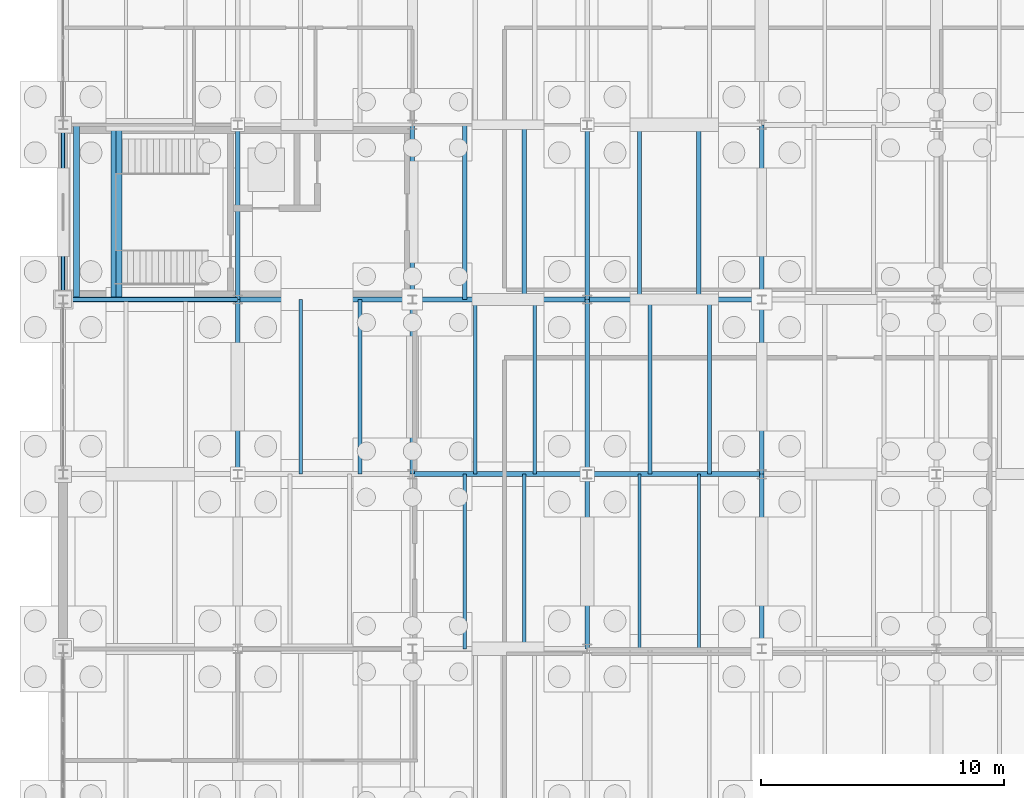
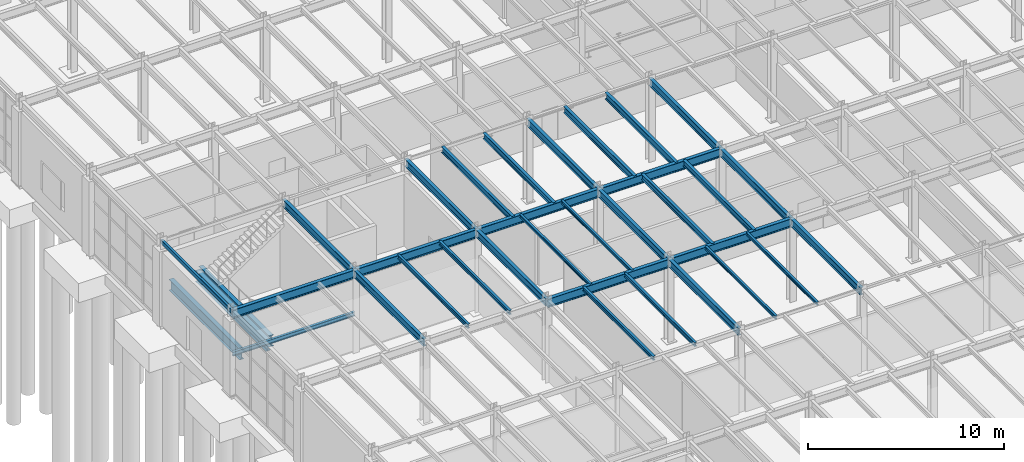
# One storey, part 60 of 293: 35 beams.
"""IFC4 building model written with IfcOpenShell, lengths in metres."""

from ifc_helpers import new_model, si_unit, direction, frame, origin, origin_2d, place, context, subcontext, project, spatial, hollow_rectangle, i_section, extrude, material, material_profile, profile_set, type_object, element, save


model = new_model("IFC4")

# Units and contexts
model_context = context("Model", 3, precision=1e-05, world=origin(), true_north=direction((0.0, 1.0)))
body_context = subcontext(model_context, "Body", "Model", "MODEL_VIEW")
ifc_project = project(units=[si_unit("LENGTHUNIT", "METRE"), si_unit("AREAUNIT", "SQUARE_METRE"), si_unit("VOLUMEUNIT", "CUBIC_METRE"), si_unit("PLANEANGLEUNIT", "RADIAN"), si_unit("MASSUNIT", "GRAM", prefix="KILO")], contexts=[model_context])

# Site, building, storey
site_placement = place(None, origin())
site = spatial("IfcSite", under=ifc_project, at=site_placement, CompositionType="ELEMENT")
building_placement = place(site_placement, origin())
building = spatial("IfcBuilding", under=site, at=building_placement, Name="Kemerveld Promenade Tramway Depot", CompositionType="ELEMENT")
storey_placement = place(building_placement, origin())
storey = spatial("IfcBuildingStorey", under=building, at=storey_placement, Name="L00", CompositionType="ELEMENT", Elevation=0.0)

# Beams
ifc_material = material(Name="Steel S355", Category="steel")
ifc_material_profile_1 = material_profile(ifc_material, i_section(OverallWidth=0.25439453125, OverallDepth=0.6875, WebThickness=0.01318359375, FlangeThickness=0.02099609375, FilletRadius=0.01513671875, at=origin_2d()), Name="686x254x152 UB")
ifc_profile_set_1 = profile_set([ifc_material_profile_1], Name="Steel S355")
beam_type_1 = type_object("IfcBeamType", Name="BM-G03", PredefinedType="BEAM", material=ifc_profile_set_1)
for number, where, z_axis, x_axis, name in (
    (1, (0.550048828125, 43.199951171875, 2.15625), (0.0, 1.0, 0.0), (-1.0, 0.0, 0.0), "BM-HL-ST-02-L00-W"),
    (2, (2.110107421875, 43.199951171875, 2.15625), (0.0, 1.0, 0.0), (-1.0, 0.0, 0.0), "BM-HL-ST-02-L00-M"),
    (3, (2.300048828125, 43.199951171875, 2.356201171875), (0.0, 1.0, 0.0), (-1.0, 0.0, 0.0), "BM-HL-ST-02-L00-F2"),
):
    element("IfcBeam", number, at=place(storey_placement, frame(where, z_axis=z_axis, x_axis=x_axis)), inside=storey, type_object=beam_type_1, Name=name, PredefinedType="BEAM", context=body_context, shape_type="SweptSolid", body=[
        extrude(i_section(OverallWidth=0.25439453125, OverallDepth=0.6875, WebThickness=0.01318359375, FlangeThickness=0.02099609375, FilletRadius=0.01513671875, at=origin_2d()), origin(), (0.0, 0.0, 1.0), 7.199951171875),
    ])
ifc_material_profile_2 = material_profile(ifc_material, i_section(OverallWidth=0.2099609375, OverallDepth=0.53662109375, WebThickness=0.0107421875, FlangeThickness=0.017333984375, FilletRadius=0.0126953125, at=origin_2d()), Name="533x210x101 UB")
ifc_profile_set_2 = profile_set([ifc_material_profile_2], Name="Steel S355")
beam_type_2 = type_object("IfcBeamType", Name="BM-G05", PredefinedType="BEAM", material=ifc_profile_set_2)
beam_1_placement = place(storey_placement, frame((14.39990234375, 36.0, 4.881591796875), z_axis=(1.0, 0.0, 0.0), x_axis=(0.0, 1.0, 0.0)))
element("IfcBeam", 4, at=beam_1_placement, inside=storey, type_object=beam_type_2, Name="BMX-L00-03-04-F", PredefinedType="BEAM", context=body_context, shape_type="SweptSolid", body=[
    extrude(i_section(OverallWidth=0.2099609375, OverallDepth=0.53662109375, WebThickness=0.0107421875, FlangeThickness=0.017333984375, FilletRadius=0.0126953125, at=origin_2d()), origin(), (0.0, 0.0, 1.0), 7.2001953125),
])
for number, where, z_axis, x_axis, name in (
    (5, (21.60009765625, 36.0, 4.881591796875), (1.0, 0.0, 0.0), (0.0, 1.0, 0.0), "BMX-L00-04-05-F"),
    (6, (0.0, 43.199951171875, 4.881591796875), (1.0, 0.0, 0.0), (0.0, 1.0, 0.0), "BMX-L00-01-02-G"),
    (7, (7.199951171875, 43.199951171875, 4.881591796875), (1.0, 0.0, 0.0), (0.0, 1.0, 0.0), "BMX-L00-02-03-G"),
):
    element("IfcBeam", number, at=place(storey_placement, frame(where, z_axis=z_axis, x_axis=x_axis)), inside=storey, type_object=beam_type_2, Name=name, PredefinedType="BEAM", context=body_context, shape_type="SweptSolid", body=[
        extrude(i_section(OverallWidth=0.2099609375, OverallDepth=0.53662109375, WebThickness=0.0107421875, FlangeThickness=0.017333984375, FilletRadius=0.0126953125, at=origin_2d()), origin(), (0.0, 0.0, 1.0), 7.199951171875),
    ])
beam_2_placement = place(storey_placement, frame((14.39990234375, 43.199951171875, 4.881591796875), z_axis=(1.0, 0.0, 0.0), x_axis=(0.0, 1.0, 0.0)))
element("IfcBeam", 8, at=beam_2_placement, inside=storey, type_object=beam_type_2, Name="BMX-L00-03-04-G", PredefinedType="BEAM", context=body_context, shape_type="SweptSolid", body=[
    extrude(i_section(OverallWidth=0.2099609375, OverallDepth=0.53662109375, WebThickness=0.0107421875, FlangeThickness=0.017333984375, FilletRadius=0.0126953125, at=origin_2d()), origin(), (0.0, 0.0, 1.0), 7.2001953125),
])
beam_3_placement = place(storey_placement, frame((21.60009765625, 43.199951171875, 4.881591796875), z_axis=(1.0, 0.0, 0.0), x_axis=(0.0, 1.0, 0.0)))
element("IfcBeam", 9, at=beam_3_placement, inside=storey, type_object=beam_type_2, Name="BMX-L00-04-05-G", PredefinedType="BEAM", context=body_context, shape_type="SweptSolid", body=[
    extrude(i_section(OverallWidth=0.2099609375, OverallDepth=0.53662109375, WebThickness=0.0107421875, FlangeThickness=0.017333984375, FilletRadius=0.0126953125, at=origin_2d()), origin(), (0.0, 0.0, 1.0), 7.199951171875),
])
ifc_material_profile_3 = material_profile(ifc_material, i_section(OverallWidth=0.19140625, OverallDepth=0.4599609375, WebThickness=0.010009765625, FlangeThickness=0.01611328125, FilletRadius=0.01025390625, at=origin_2d()), Name="457x191x82 UB")
ifc_profile_set_3 = profile_set([ifc_material_profile_3], Name="Steel S355")
beam_type_3 = type_object("IfcBeamType", Name="BM-G06", PredefinedType="BEAM", material=ifc_profile_set_3)
for number, where, z_axis, x_axis, name in (
    (10, (7.199951171875, 36.0, 4.919921875), (0.0, 1.0, 0.0), (-1.0, 0.0, 0.0), "BMY-L00-02-F-G"),
    (11, (7.199951171875, 43.199951171875, 4.919921875), (0.0, 1.0, 0.0), (-1.0, 0.0, 0.0), "BMY-L00-02-G-H"),
    (12, (14.39990234375, 36.0, 4.919921875), (0.0, 1.0, 0.0), (-1.0, 0.0, 0.0), "BMY-L00-03-F-G"),
    (13, (14.39990234375, 43.199951171875, 4.919921875), (0.0, 1.0, 0.0), (-1.0, 0.0, 0.0), "BMY-L00-03-G-H"),
    (14, (21.60009765625, 28.800048828125, 4.919921875), (0.0, 1.0, 0.0), (-1.0, 0.0, 0.0), "BMY-L00-04-E-F"),
    (15, (21.60009765625, 36.0, 4.919921875), (0.0, 1.0, 0.0), (-1.0, 0.0, 0.0), "BMY-L00-04-F-G"),
    (16, (21.60009765625, 43.199951171875, 4.919921875), (0.0, 1.0, 0.0), (-1.0, 0.0, 0.0), "BMY-L00-04-G-H"),
    (17, (28.800048828125, 28.800048828125, 4.919921875), (0.0, 1.0, 0.0), (-1.0, 0.0, 0.0), "BMY-L00-05-E-F"),
    (18, (28.800048828125, 36.0, 4.919921875), (0.0, 1.0, 0.0), (-1.0, 0.0, 0.0), "BMY-L00-05-F-G"),
    (19, (28.800048828125, 43.199951171875, 4.919921875), (0.0, 1.0, 0.0), (-1.0, 0.0, 0.0), "BMY-L00-05-G-H"),
):
    element("IfcBeam", number, at=place(storey_placement, frame(where, z_axis=z_axis, x_axis=x_axis)), inside=storey, type_object=beam_type_3, Name=name, PredefinedType="BEAM", context=body_context, shape_type="SweptSolid", body=[
        extrude(i_section(OverallWidth=0.19140625, OverallDepth=0.4599609375, WebThickness=0.010009765625, FlangeThickness=0.01611328125, FilletRadius=0.01025390625, at=origin_2d()), origin(), (0.0, 0.0, 1.0), 7.199951171875),
    ])
ifc_material_profile_4 = material_profile(ifc_material, i_section(OverallWidth=0.146484375, OverallDepth=0.256103515625, WebThickness=0.00634765625, FlangeThickness=0.010986328125, FilletRadius=0.007568359375, at=origin_2d()), Name="254x146x37 UB")
ifc_profile_set_4 = profile_set([ifc_material_profile_4], Name="Steel S355")
beam_type_4 = type_object("IfcBeamType", Name="BM-J02", PredefinedType="JOIST", material=ifc_profile_set_4)
for number, where, z_axis, x_axis, name in (
    (20, (9.7919921875, 36.0, 5.02197265625), (0.0, 1.0, 0.0), (-1.0, 0.0, 0.0), "JST-L00-02-F-1"),
    (21, (12.239990234375, 36.0, 5.02197265625), (0.0, 1.0, 0.0), (-1.0, 0.0, 0.0), "JST-L00-02-F-2"),
    (22, (16.56005859375, 28.800048828125, 5.02197265625), (0.0, 1.0, 0.0), (-1.0, 0.0, 0.0), "JST-L00-03-E-1"),
    (23, (19.008056640625, 28.800048828125, 5.02197265625), (0.0, 1.0, 0.0), (-1.0, 0.0, 0.0), "JST-L00-03-E-2"),
    (24, (0.0, 43.199951171875, 2.3720703125), (1.0, 0.0, 0.0), (0.0, 1.0, 0.0), "BM-HLY-ST-02-L00-S"),
):
    element("IfcBeam", number, at=place(storey_placement, frame(where, z_axis=z_axis, x_axis=x_axis)), inside=storey, type_object=beam_type_4, Name=name, PredefinedType="JOIST", context=body_context, shape_type="SweptSolid", body=[
        extrude(i_section(OverallWidth=0.146484375, OverallDepth=0.256103515625, WebThickness=0.00634765625, FlangeThickness=0.010986328125, FilletRadius=0.007568359375, at=origin_2d()), origin(), (0.0, 0.0, 1.0), 7.199951171875),
    ])
ifc_material_profile_5 = material_profile(ifc_material, i_section(OverallWidth=0.13330078125, OverallDepth=0.203125, WebThickness=0.005615234375, FlangeThickness=0.0078125, FilletRadius=0.007568359375, at=origin_2d()), Name="203x133x25 UB")
ifc_profile_set_5 = profile_set([ifc_material_profile_5], Name="Steel S355")
beam_type_5 = type_object("IfcBeamType", Name="BM-J03", PredefinedType="JOIST", material=ifc_profile_set_5)
for number, where, z_axis, x_axis, name in (
    (25, (16.991943359375, 36.0, 5.04833984375), (0.0, 1.0, 0.0), (-1.0, 0.0, 0.0), "JST-L00-03-F-1"),
    (26, (19.43994140625, 36.0, 5.04833984375), (0.0, 1.0, 0.0), (-1.0, 0.0, 0.0), "JST-L00-03-F-2"),
    (27, (23.760009765625, 28.800048828125, 5.04833984375), (0.0, 1.0, 0.0), (-1.0, 0.0, 0.0), "JST-L00-04-E-1"),
    (28, (26.2080078125, 28.800048828125, 5.04833984375), (0.0, 1.0, 0.0), (-1.0, 0.0, 0.0), "JST-L00-04-E-2"),
):
    element("IfcBeam", number, at=place(storey_placement, frame(where, z_axis=z_axis, x_axis=x_axis)), inside=storey, type_object=beam_type_5, Name=name, PredefinedType="JOIST", context=body_context, shape_type="SweptSolid", body=[
        extrude(i_section(OverallWidth=0.13330078125, OverallDepth=0.203125, WebThickness=0.005615234375, FlangeThickness=0.0078125, FilletRadius=0.007568359375, at=origin_2d()), origin(), (0.0, 0.0, 1.0), 7.199951171875),
    ])
ifc_material_profile_6 = material_profile(ifc_material, i_section(OverallWidth=0.172119140625, OverallDepth=0.35791015625, WebThickness=0.008056640625, FlangeThickness=0.012939453125, FilletRadius=0.01025390625, at=origin_2d()), Name="356x171x57 UB")
ifc_profile_set_6 = profile_set([ifc_material_profile_6], Name="Steel S355")
beam_type_6 = type_object("IfcBeamType", Name="BM-J04", PredefinedType="JOIST", material=ifc_profile_set_6)
for number, where, z_axis, x_axis, name in (
    (29, (16.56005859375, 43.199951171875, 4.970947265625), (0.0, 1.0, 0.0), (-1.0, 0.0, 0.0), "JST-L00-03-G-1"),
    (30, (19.008056640625, 43.199951171875, 4.970947265625), (0.0, 1.0, 0.0), (-1.0, 0.0, 0.0), "JST-L00-03-G-2"),
    (31, (24.19189453125, 36.0, 4.970947265625), (0.0, 1.0, 0.0), (-1.0, 0.0, 0.0), "JST-L00-04-F-1"),
    (32, (26.639892578125, 36.0, 4.970947265625), (0.0, 1.0, 0.0), (-1.0, 0.0, 0.0), "JST-L00-04-F-2"),
):
    element("IfcBeam", number, at=place(storey_placement, frame(where, z_axis=z_axis, x_axis=x_axis)), inside=storey, type_object=beam_type_6, Name=name, PredefinedType="JOIST", context=body_context, shape_type="SweptSolid", body=[
        extrude(i_section(OverallWidth=0.172119140625, OverallDepth=0.35791015625, WebThickness=0.008056640625, FlangeThickness=0.012939453125, FilletRadius=0.01025390625, at=origin_2d()), origin(), (0.0, 0.0, 1.0), 7.199951171875),
    ])
ifc_material_profile_7 = material_profile(ifc_material, i_section(OverallWidth=0.1787109375, OverallDepth=0.409423828125, WebThickness=0.0087890625, FlangeThickness=0.014404296875, FilletRadius=0.01025390625, at=origin_2d()), Name="406x178x67 UB")
ifc_profile_set_7 = profile_set([ifc_material_profile_7], Name="Steel S355")
beam_type_7 = type_object("IfcBeamType", Name="BM-J05", PredefinedType="JOIST", material=ifc_profile_set_7)
for number, where, z_axis, x_axis, name in (
    (33, (23.760009765625, 43.199951171875, 4.9453125), (0.0, 1.0, 0.0), (-1.0, 0.0, 0.0), "JST-L00-04-G-1"),
    (34, (26.2080078125, 43.199951171875, 4.9453125), (0.0, 1.0, 0.0), (-1.0, 0.0, 0.0), "JST-L00-04-G-2"),
):
    element("IfcBeam", number, at=place(storey_placement, frame(where, z_axis=z_axis, x_axis=x_axis)), inside=storey, type_object=beam_type_7, Name=name, PredefinedType="JOIST", context=body_context, shape_type="SweptSolid", body=[
        extrude(i_section(OverallWidth=0.1787109375, OverallDepth=0.409423828125, WebThickness=0.0087890625, FlangeThickness=0.014404296875, FilletRadius=0.01025390625, at=origin_2d()), origin(), (0.0, 0.0, 1.0), 7.199951171875),
    ])
ifc_material_profile_8 = material_profile(ifc_material, hollow_rectangle(XDim=0.14990234375, YDim=0.25, WallThickness=0.010009765625, InnerFilletRadius=0.0048828125, OuterFilletRadius=0.014892578125, at=origin_2d()), Name="250x150x10.0 RHS")
ifc_profile_set_8 = profile_set([ifc_material_profile_8], Name="Steel S355")
beam_type_8 = type_object("IfcBeamType", Name="BM-SP2", PredefinedType="SPANDREL", material=ifc_profile_set_8)
beam_4_placement = place(storey_placement, frame((0.0, 43.199951171875, 5.02490234375), z_axis=(0.0, 1.0, 0.0), x_axis=(-1.0, 0.0, 0.0)))
element("IfcBeam", 35, at=beam_4_placement, inside=storey, type_object=beam_type_8, Name="BMY-L00-01-G-H", PredefinedType="SPANDREL", context=body_context, shape_type="SweptSolid", body=[
    extrude(hollow_rectangle(XDim=0.14990234375, YDim=0.25, WallThickness=0.010009765625, InnerFilletRadius=0.0048828125, OuterFilletRadius=0.014892578125, at=origin_2d()), origin(), (0.0, 0.0, 1.0), 7.199951171875),
])

save(model, "model.ifc")
